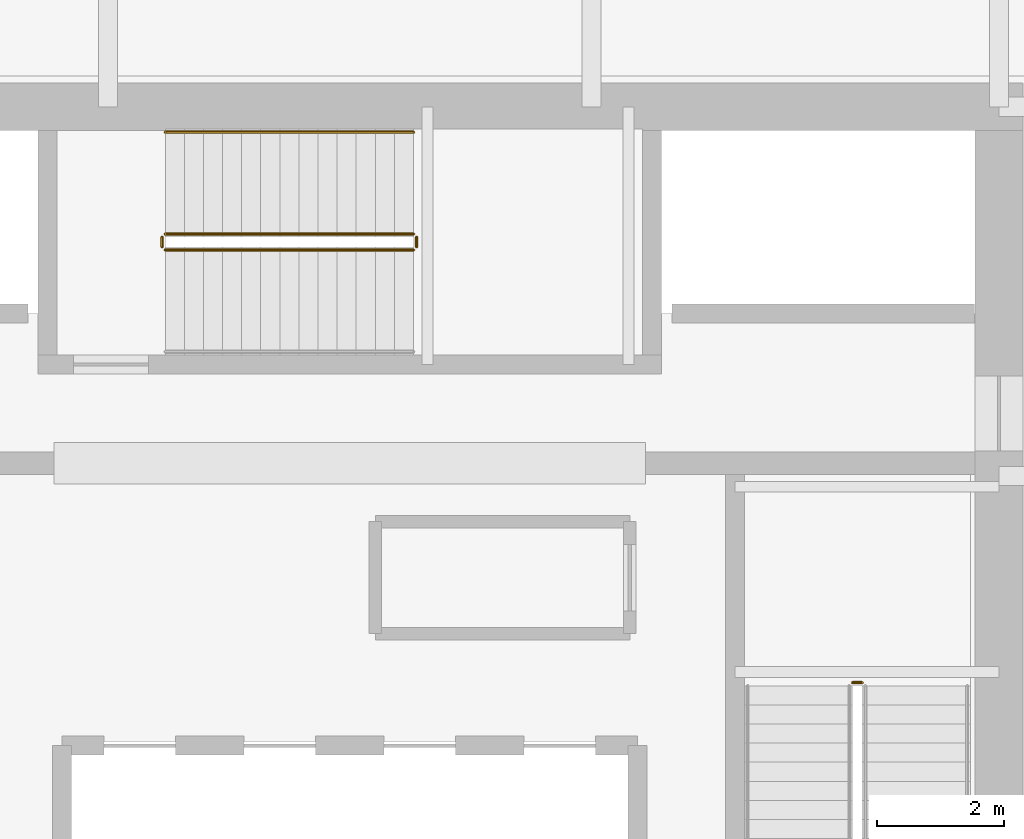
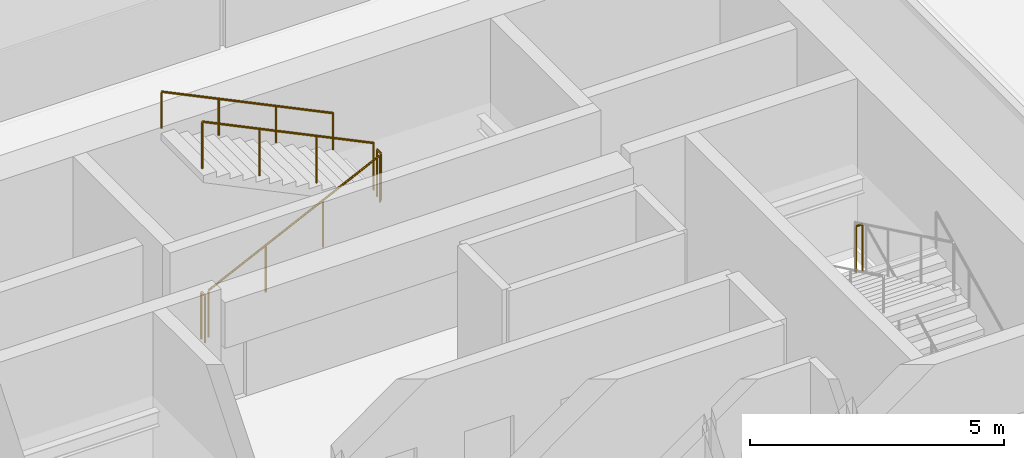
# One storey, part 33 of 34: 6 railings.
"""IFC4 building model written with IfcOpenShell, lengths in metres."""

import ifcopenshell
import ifcopenshell.guid

model = None  # the IFC model being written
_history = None  # IfcOwnerHistory: only IFC2X3 demands one
_inside = {}  # id of a spatial element -> (the spatial element, [elements in it])
_under = {}  # id of a project, library or spatial element -> (it, [spatial elements below it])
_declared = {}  # id of a project -> (the project, [libraries it declares])
_typed = {}  # id of a type object -> (the type object, [elements of that type])
_made_of = {}  # id of a material, layer set ... -> (it, [elements and type objects made of it])


def new_model(schema):
    """Start an empty IFC model of exactly this schema.

    Asked for "IFC4X3", IfcOpenShell would pick the latest addendum, in which some entities
    have other attributes; the version numbers below select the first issue.
    IFC2X3 requires an IfcOwnerHistory on every rooted entity: one is made here for all.
    """
    global model, _history
    if schema == "IFC4X3":
        model = ifcopenshell.file(schema_version=(4, 3, 0, 0))
    else:
        model = ifcopenshell.file(schema=schema)
    _inside.clear()
    _under.clear()
    _declared.clear()
    _typed.clear()
    _made_of.clear()
    _history = None
    if model.schema == "IFC2X3":
        org = make("IfcOrganization", Name="unknown")
        user = make(
            "IfcPersonAndOrganization",
            ThePerson=make("IfcPerson", FamilyName="unknown"),
            TheOrganization=org,
        )
        app = make(
            "IfcApplication",
            ApplicationDeveloper=org,
            Version="unknown",
            ApplicationFullName="unknown",
            ApplicationIdentifier="unknown",
        )
        _history = make(
            "IfcOwnerHistory",
            OwningUser=user,
            OwningApplication=app,
            ChangeAction="ADDED",
            CreationDate=0,
        )
    return model


def make(cls, **values):
    """One entity of the class cls with the attributes given. An attribute that is None is left unset."""
    return model.create_entity(
        cls, **{name: value for name, value in values.items() if value is not None}
    )


def rooted(cls, **values):
    """An entity with a GlobalId (a new one), such as an element, a storey or a relation."""
    return make(cls, GlobalId=ifcopenshell.guid.new(), OwnerHistory=_history, **values)


def si_unit(unit_type, name, prefix=None):
    """IfcSIUnit, for example si_unit("LENGTHUNIT", "METRE", prefix="MILLI")."""
    return make("IfcSIUnit", UnitType=unit_type, Prefix=prefix, Name=name)


def assignment(units):
    """IfcUnitAssignment: the units of a project."""
    return None if units is None else make("IfcUnitAssignment", Units=units)


def point(xyz):
    """IfcCartesianPoint."""
    return None if xyz is None else make("IfcCartesianPoint", Coordinates=xyz)


def direction(xyz):
    """IfcDirection."""
    return None if xyz is None else make("IfcDirection", DirectionRatios=xyz)


def frame(location, z_axis=None, x_axis=None):
    """IfcAxis2Placement3D, a coordinate frame: its origin and axes. An axis left out is left unset."""
    return make(
        "IfcAxis2Placement3D",
        Location=point(location),
        Axis=direction(z_axis),
        RefDirection=direction(x_axis),
    )


def frame_2d(location, x_axis=None):
    """IfcAxis2Placement2D, a coordinate frame in the plane: its origin and x axis."""
    return make(
        "IfcAxis2Placement2D", Location=point(location), RefDirection=direction(x_axis)
    )


def origin():
    """The frame at (0, 0, 0) with its axes left unset."""
    return frame((0.0, 0.0, 0.0))


def origin_2d():
    """The frame at (0, 0) in the plane with its x axis left unset."""
    return frame_2d((0.0, 0.0))


def place(relative_to, where):
    """IfcLocalPlacement: puts the frame where relative to a parent placement (None: the world)."""
    return make(
        "IfcLocalPlacement", PlacementRelTo=relative_to, RelativePlacement=where
    )


def context(
    kind, dimensions, precision=None, world=None, true_north=None, identifier=None
):
    """IfcGeometricRepresentationContext, for example the 3D "Model" context."""
    return make(
        "IfcGeometricRepresentationContext",
        ContextIdentifier=identifier,
        ContextType=kind,
        CoordinateSpaceDimension=dimensions,
        Precision=precision,
        WorldCoordinateSystem=world,
        TrueNorth=true_north,
    )


def subcontext(parent, identifier, kind, view, scale=None):
    """IfcGeometricRepresentationSubContext, for example "Body" below "Model"."""
    return make(
        "IfcGeometricRepresentationSubContext",
        ContextIdentifier=identifier,
        ContextType=kind,
        ParentContext=parent,
        TargetScale=scale,
        TargetView=view,
    )


def project(units=None, contexts=None):
    """IfcProject with its units and contexts."""
    return rooted(
        "IfcProject",
        Name="project",
        RepresentationContexts=contexts,
        UnitsInContext=assignment(units),
    )


def spatial(cls, under=None, at=None, **own):
    """A site, building, storey or space (cls), placed at a placement, below another one or the project."""
    s = rooted(cls, ObjectPlacement=at, **own)
    if under is not None:
        _under.setdefault(under.id(), (under, []))[1].append(s)
    return s


def profile(cls, at=None, kind="AREA", **sizes):
    """A parametric profile (cls). Its sizes go by their IFC names, for example OverallWidth=200.0."""
    return make(cls, ProfileType=kind, Position=at, **sizes)


def circle(**sizes):
    """IfcCircleProfileDef."""
    return profile("IfcCircleProfileDef", **sizes)


def extrude(swept, where, along, depth):
    """IfcExtrudedAreaSolid: the profile swept, set in the frame where, extruded along a direction by depth."""
    return make(
        "IfcExtrudedAreaSolid",
        SweptArea=swept,
        Position=where,
        ExtrudedDirection=direction(along),
        Depth=depth,
    )


def shape(context_of_items, identifier, shape_type, items):
    """IfcShapeRepresentation: the items that make up one representation, for example the "Body"."""
    return make(
        "IfcShapeRepresentation",
        ContextOfItems=context_of_items,
        RepresentationIdentifier=identifier,
        RepresentationType=shape_type,
        Items=items,
    )


def material(Name=None, Category=None):
    """IfcMaterial."""
    return make("IfcMaterial", Name=Name, Category=Category)


def made_of(thing, what):
    """Note that an element or type object is made of a material, layer set ...; save() writes the relation."""
    if what is not None:
        _made_of.setdefault(what.id(), (what, []))[1].append(thing)
    return thing


def type_object(cls, material=None, **own):
    """A type object (cls), such as IfcWallType, which elements share."""
    return made_of(rooted(cls, **own), material)


def element(
    cls,
    number,
    at=None,
    inside=None,
    cuts=None,
    type_object=None,
    material=None,
    context=None,
    identifier="Body",
    shape_type=None,
    held_by="IfcProductDefinitionShape",
    body=None,
    shapes=None,
    **own,
):
    """One element of the class cls, such as IfcWall. Its Tag is "e" and its number.

    at: its placement. inside: the storey or other place that contains it. cuts: it is an
    opening in that element (IfcRelVoidsElement). A single representation is given by context,
    identifier, shape_type and body (its items); several are given by shapes. held_by: the class
    of the entity that holds the representations. save() writes the other relations.
    """
    e = rooted(cls, Tag="e%d" % number, ObjectPlacement=at, **own)
    if body is not None:
        shapes = [shape(context, identifier, shape_type, body)]
    if shapes is not None:
        e.Representation = make(held_by, Representations=shapes)
    if inside is not None:
        _inside.setdefault(inside.id(), (inside, []))[1].append(e)
    if cuts is not None:
        rooted(
            "IfcRelVoidsElement", RelatingBuildingElement=cuts, RelatedOpeningElement=e
        )
    if type_object is not None:
        _typed.setdefault(type_object.id(), (type_object, []))[1].append(e)
    return made_of(e, material)


def aggregate(whole, parts):
    """IfcRelAggregates: a whole, such as a stair, and the parts it consists of."""
    return rooted("IfcRelAggregates", RelatingObject=whole, RelatedObjects=parts)


def save(model, path):
    """Write the relations noted so far, then the file.

    IfcRelAggregates (storeys below a building ...), IfcRelContainedInSpatialStructure (elements
    in a storey), IfcRelDefinesByType, IfcRelAssociatesMaterial and IfcRelDeclares: one each for
    every whole, place, type object, material and project.
    """
    for whole, parts in _under.values():
        aggregate(whole, parts)
    for where, things in _inside.values():
        rooted(
            "IfcRelContainedInSpatialStructure",
            RelatedElements=things,
            RelatingStructure=where,
        )
    for kind, things in _typed.values():
        rooted("IfcRelDefinesByType", RelatedObjects=things, RelatingType=kind)
    for what, things in _made_of.values():
        rooted("IfcRelAssociatesMaterial", RelatedObjects=things, RelatingMaterial=what)
    for by, libraries in _declared.values():
        rooted("IfcRelDeclares", RelatingContext=by, RelatedDefinitions=libraries)
    model.write(path)


model = new_model("IFC4")

# Units and contexts
model_context = context("Model", 3, precision=1e-05, world=origin(), true_north=direction((0.0, 1.0)))
body_context = subcontext(model_context, "Body", "Model", "MODEL_VIEW")
ifc_project = project(units=[si_unit("LENGTHUNIT", "METRE"), si_unit("AREAUNIT", "SQUARE_METRE"), si_unit("VOLUMEUNIT", "CUBIC_METRE"), si_unit("PLANEANGLEUNIT", "RADIAN"), si_unit("MASSUNIT", "GRAM", prefix="KILO")], contexts=[model_context])

# Site, building, storey
site_placement = place(None, origin())
site = spatial("IfcSite", under=ifc_project, at=site_placement, CompositionType="ELEMENT")
building_placement = place(site_placement, origin())
building = spatial("IfcBuilding", under=site, at=building_placement, Name="Punatoya Terracotta Tower", CompositionType="ELEMENT")
storey_placement = place(building_placement, frame((0.0, 0.0, 117.300048828125)))
storey = spatial("IfcBuildingStorey", under=building, at=storey_placement, Name="L27", CompositionType="ELEMENT", Elevation=117.300048828125)

# Railings
ifc_material = material(Name="Steel S355", Category="steel")
railing_type_1 = type_object("IfcRailingType", Name="RLG-GRD-1150", PredefinedType="GUARDRAIL", material=ifc_material)
railing_1_placement = place(storey_placement, frame((8.050048828125, 0.14990234375, 2.02490234375)))
element("IfcRailing", 1, at=railing_1_placement, inside=storey, type_object=railing_type_1, Name="L27 ST-2 stair guard 2", PredefinedType="GUARDRAIL", context=body_context, shape_type="SweptSolid", body=[
    extrude(circle(Radius=0.02392578125, at=origin_2d()), frame((0.0, 0.0, 1.1259765625), z_axis=(-1.0, 0.0, 0.0), x_axis=(0.0, -1.0, 0.0)), (0.0, 0.0, 1.0), 0.150146484375),
    extrude(circle(Radius=0.02099609375, at=origin_2d()), origin(), (0.0, 0.0, 1.0), 1.101806640625),
    extrude(circle(Radius=0.02099609375, at=origin_2d()), frame((-0.150146484375, 0.0, 0.0)), (0.0, 0.0, 1.0), 1.101806640625),
])
railing_2_placement = place(storey_placement, frame((-2.89990234375, 6.949951171875, 0.14453125)))
element("IfcRailing", 2, at=railing_2_placement, inside=storey, type_object=railing_type_1, Name="L27 ST-3 stair guard 1", PredefinedType="GUARDRAIL", context=body_context, shape_type="SweptSolid", body=[
    extrude(circle(Radius=0.02392578125, at=origin_2d()), frame((0.0, 0.0, 1.1259765625), z_axis=(0.900763166376, 0.0, 0.434310623978), x_axis=(0.0, 1.0, 0.0)), (0.0, 0.0, 1.0), 4.32958984375),
    extrude(circle(Radius=0.02099609375, at=origin_2d()), origin(), (0.0, 0.0, 1.0), 1.101806640625),
    extrude(circle(Radius=0.02099609375, at=origin_2d()), frame((1.300048828125, 0.0, 0.626708984375)), (0.0, 0.0, 1.0), 1.101806640625),
    extrude(circle(Radius=0.02099609375, at=origin_2d()), frame((2.599853515625, 0.0, 1.253662109375)), (0.0, 0.0, 1.0), 1.101806640625),
    extrude(circle(Radius=0.02099609375, at=origin_2d()), frame((3.89990234375, 0.0, 1.88037109375)), (0.0, 0.0, 1.0), 1.101806640625),
])
railing_3_placement = place(storey_placement, frame((1.050048828125, 7.0, 2.02490234375)))
element("IfcRailing", 3, at=railing_3_placement, inside=storey, type_object=railing_type_1, Name="L27 ST-3 stair guard 2", PredefinedType="GUARDRAIL", context=body_context, shape_type="SweptSolid", body=[
    extrude(circle(Radius=0.02392578125, at=origin_2d()), frame((0.0, 0.0, 1.1259765625), z_axis=(0.0, 1.0, 0.0), x_axis=(-1.0, 0.0, 0.0)), (0.0, 0.0, 1.0), 0.14990234375),
    extrude(circle(Radius=0.02099609375, at=origin_2d()), origin(), (0.0, 0.0, 1.0), 1.101806640625),
    extrude(circle(Radius=0.02099609375, at=origin_2d()), frame((0.0, 0.14990234375, 0.0)), (0.0, 0.0, 1.0), 1.101806640625),
])
railing_4_placement = place(storey_placement, frame((1.0, 7.199951171875, 2.169677734375)))
element("IfcRailing", 4, at=railing_4_placement, inside=storey, type_object=railing_type_1, Name="L27 ST-3 stair guard 3", PredefinedType="GUARDRAIL", context=body_context, shape_type="SweptSolid", body=[
    extrude(circle(Radius=0.02392578125, at=origin_2d()), frame((0.0, 0.0, 1.1259765625), z_axis=(-0.900763166376, 0.0, 0.434310623978), x_axis=(0.0, -1.0, 0.0)), (0.0, 0.0, 1.0), 4.32958984375),
    extrude(circle(Radius=0.02099609375, at=origin_2d()), origin(), (0.0, 0.0, 1.0), 1.101806640625),
    extrude(circle(Radius=0.02099609375, at=origin_2d()), frame((-1.300048828125, 0.0, 0.626708984375)), (0.0, 0.0, 1.0), 1.101806640625),
    extrude(circle(Radius=0.02099609375, at=origin_2d()), frame((-2.599853515625, 0.0, 1.253662109375)), (0.0, 0.0, 1.0), 1.101806640625),
    extrude(circle(Radius=0.02099609375, at=origin_2d()), frame((-3.89990234375, 0.0, 1.88037109375)), (0.0, 0.0, 1.0), 1.101806640625),
])
railing_5_placement = place(storey_placement, frame((-2.949951171875, 7.0, 0.0)))
element("IfcRailing", 5, at=railing_5_placement, inside=storey, type_object=railing_type_1, Name="L27 ST-3 stair guard 4", PredefinedType="GUARDRAIL", context=body_context, shape_type="SweptSolid", body=[
    extrude(circle(Radius=0.02392578125, at=origin_2d()), frame((0.0, 0.0, 1.1259765625), z_axis=(0.0, 1.0, 0.0), x_axis=(-1.0, 0.0, 0.0)), (0.0, 0.0, 1.0), 0.14990234375),
    extrude(circle(Radius=0.02099609375, at=origin_2d()), origin(), (0.0, 0.0, 1.0), 1.101806640625),
    extrude(circle(Radius=0.02099609375, at=origin_2d()), frame((0.0, 0.14990234375, 0.0)), (0.0, 0.0, 1.0), 1.101806640625),
])
railing_type_2 = type_object("IfcRailingType", Name="RLG-HND-900", PredefinedType="HANDRAIL", material=ifc_material)
railing_6_placement = place(storey_placement, frame((1.0, 8.800048828125, 2.169677734375)))
element("IfcRailing", 6, at=railing_6_placement, inside=storey, type_object=railing_type_2, Name="L27 ST-3 stair handrail 2", PredefinedType="HANDRAIL", context=body_context, shape_type="SweptSolid", body=[
    extrude(circle(Radius=0.02392578125, at=origin_2d()), frame((0.0, 0.0, 0.8759765625), z_axis=(-0.900763166376, 0.0, 0.434310623978), x_axis=(0.0, -1.0, 0.0)), (0.0, 0.0, 1.0), 4.32958984375),
    extrude(circle(Radius=0.02099609375, at=origin_2d()), origin(), (0.0, 0.0, 1.0), 0.851806640625),
    extrude(circle(Radius=0.02099609375, at=origin_2d()), frame((-1.300048828125, 0.0, 0.626708984375)), (0.0, 0.0, 1.0), 0.851806640625),
    extrude(circle(Radius=0.02099609375, at=origin_2d()), frame((-2.599853515625, 0.0, 1.253662109375)), (0.0, 0.0, 1.0), 0.851806640625),
    extrude(circle(Radius=0.02099609375, at=origin_2d()), frame((-3.89990234375, 0.0, 1.88037109375)), (0.0, 0.0, 1.0), 0.851806640625),
])

save(model, "model.ifc")
